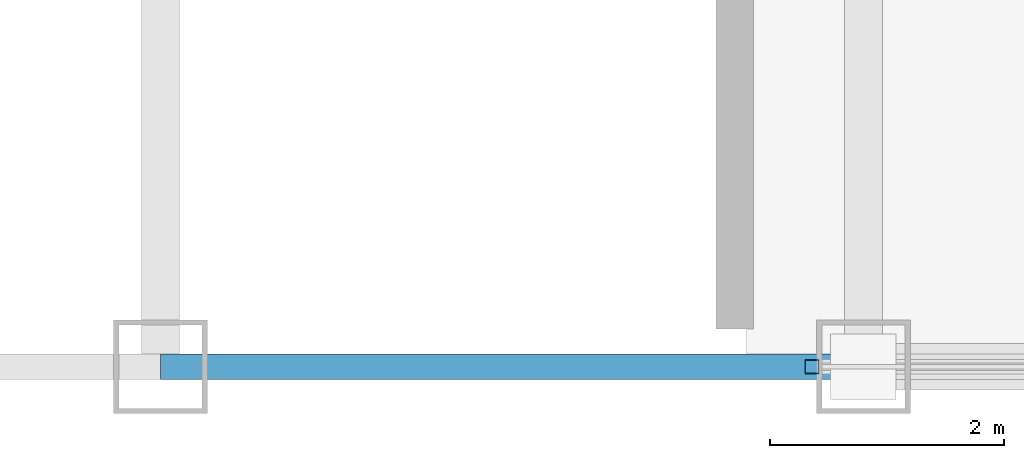
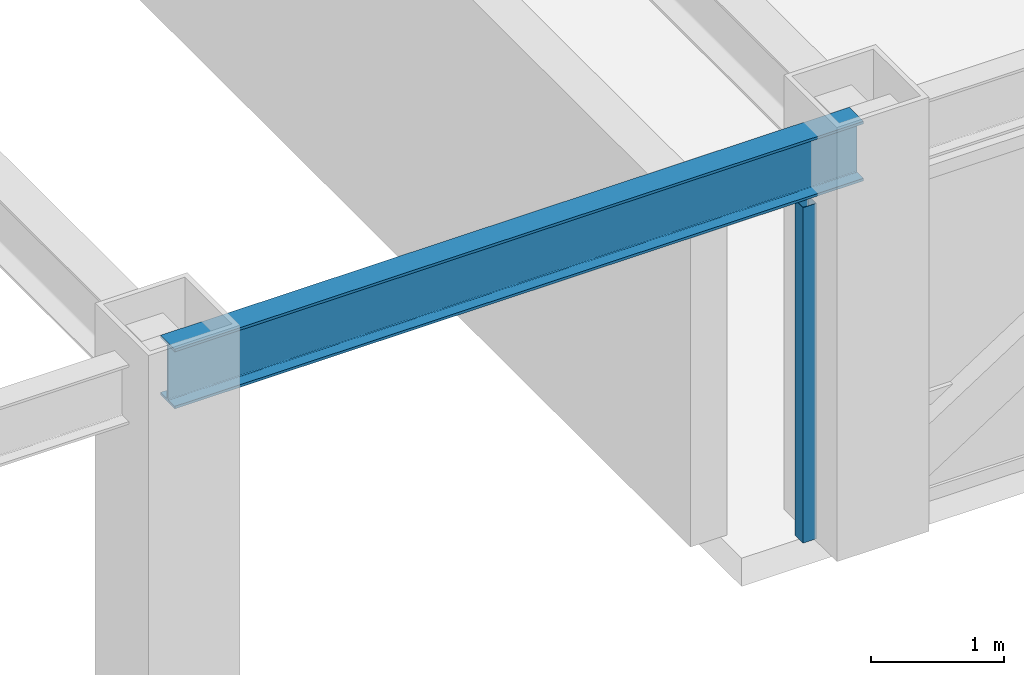
# One storey, part 5 of 29: 1 beam, 1 member, 1 element without a shape of its own.
"""IFC4 building model written with IfcOpenShell, lengths in metres."""

from ifc_helpers import new_model, si_unit, direction, frame, origin, origin_2d, place, context, subcontext, project, spatial, hollow_rectangle, i_section, extrude, source, transform, mapped, material, material_profile, profile_set, type_object, element, aggregate, save


model = new_model("IFC4")

# Units and contexts
model_context = context("Model", 3, precision=1e-05, world=origin(), true_north=direction((0.0, 1.0)))
body_context = subcontext(model_context, "Body", "Model", "MODEL_VIEW")
ifc_project = project(units=[si_unit("LENGTHUNIT", "METRE"), si_unit("AREAUNIT", "SQUARE_METRE"), si_unit("VOLUMEUNIT", "CUBIC_METRE"), si_unit("PLANEANGLEUNIT", "RADIAN"), si_unit("MASSUNIT", "GRAM", prefix="KILO")], contexts=[model_context])

# Site, building, storey
site_placement = place(None, origin())
site = spatial("IfcSite", under=ifc_project, at=site_placement, CompositionType="ELEMENT")
building_placement = place(site_placement, origin())
building = spatial("IfcBuilding", under=site, at=building_placement, Name="Khorayat Bourse Tower", CompositionType="ELEMENT")
storey_placement = place(building_placement, frame((0.0, 0.0, 354.300048828125)))
storey = spatial("IfcBuildingStorey", under=building, at=storey_placement, Name="L84", CompositionType="ELEMENT", Elevation=354.300048828125)

# Beam
ifc_material_1 = material(Name="Steel ASTM A992 Grade 50", Category="steel")
ifc_material_profile_1 = material_profile(ifc_material_1, i_section(OverallWidth=0.214111328125, OverallDepth=0.549072265625, WebThickness=0.0146484375, FlangeThickness=0.023681640625, FilletRadius=0.013916015625, at=origin_2d()), Name="W530X138")
ifc_profile_set_1 = profile_set([ifc_material_profile_1], Name="Steel ASTM A992 Grade 50")
beam_type = type_object("IfcBeamType", Name="BM-SPAN-530", PredefinedType="SPANDREL", material=ifc_profile_set_1)
shared_shape_1 = source(origin(), body_context, "Body", "SweptSolid", [
    extrude(i_section(OverallWidth=0.214111328125, OverallDepth=0.549072265625, WebThickness=0.0146484375, FlangeThickness=0.023681640625, FilletRadius=0.013916015625, at=origin_2d()), origin(), (0.0, 0.0, 1.0), 6.0),
])
beam_placement = place(storey_placement, frame((0.0, -26.0, 3.46533203125), z_axis=(1.0, 0.0, 0.0), x_axis=(0.0, 1.0, 0.0)))
element("IfcBeam", 1, at=beam_placement, inside=storey, type_object=beam_type, Name="L84 BM-SPAN-530 BM-L84-SPN-027", PredefinedType="SPANDREL", context=body_context, shape_type="MappedRepresentation", body=[
    mapped(shared_shape_1, transform((0.0, 0.0, 0.0), scale=1.0)),
])

# Curtain wall, member
ifc_material_2 = material(Name="Aluminium EN AW-6063 T6", Category="aluminium")
curtain_wall_type = type_object("IfcCurtainWallType", Name="CW-SYS-06", PredefinedType="NOTDEFINED", material=ifc_material_2)
curtain_wall_placement = place(storey_placement, origin())
curtain_wall = element("IfcCurtainWall", 2, at=curtain_wall_placement, inside=storey, type_object=curtain_wall_type, Name="L84 Curtain Wall CW-L84-S2", PredefinedType="NOTDEFINED")
ifc_material_profile_2 = material_profile(ifc_material_2, hollow_rectangle(XDim=0.1201171875, YDim=0.1201171875, WallThickness=0.0048828125, at=origin_2d()), Name="ALU 120x120x5")
ifc_profile_set_2 = profile_set([ifc_material_profile_2], Name="Aluminium EN AW-6063 T6")
member_type = type_object("IfcMemberType", Name="CWM-VERT-120", PredefinedType="MULLION", material=ifc_profile_set_2)
shared_shape_2 = source(origin(), body_context, "Body", "SweptSolid", [
    extrude(hollow_rectangle(XDim=0.1201171875, YDim=0.1201171875, WallThickness=0.0048828125, at=origin_2d()), origin(), (0.0, 0.0, 1.0), 3.08984375),
])
member_placement = place(storey_placement, frame((5.56005859375, -26.0, 0.0), z_axis=(0.0, 0.0, 1.0), x_axis=(0.0, 1.0, 0.0)))
member = element("IfcMember", 3, at=member_placement, type_object=member_type, Name="CW-L84-S2 Vertical Mullion 1", PredefinedType="MULLION", context=body_context, shape_type="MappedRepresentation", body=[
    mapped(shared_shape_2, transform((0.0, 0.0, 0.0), scale=1.0)),
])
aggregate(curtain_wall, [member])

save(model, "model.ifc")
